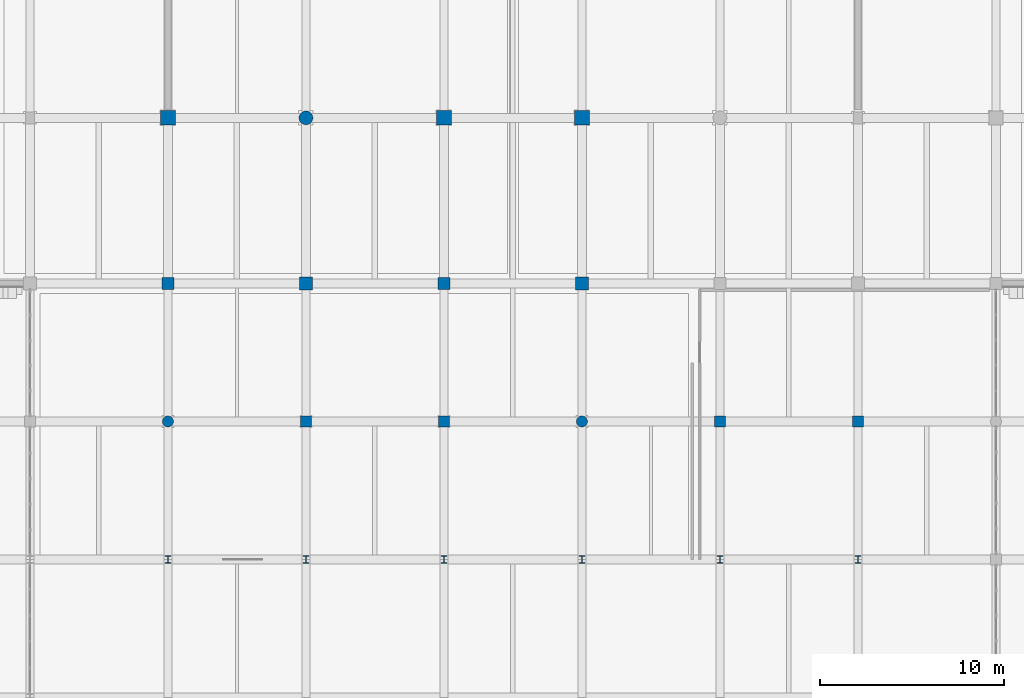
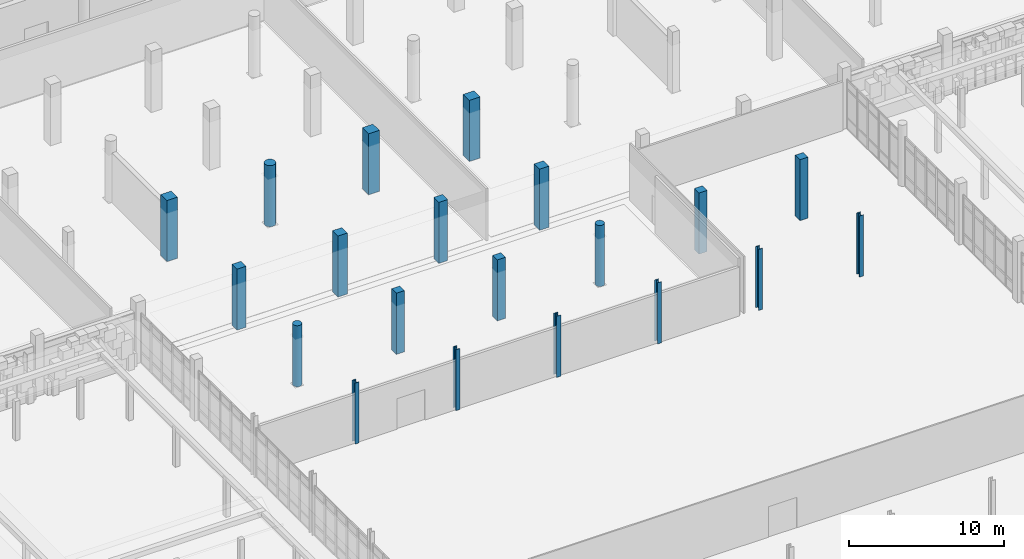
# One storey, part 10 of 125: 20 columns.
"""IFC4 building model written with IfcOpenShell, lengths in metres."""

from ifc_helpers import new_model, si_unit, direction, frame, origin, origin_2d, place, context, subcontext, project, spatial, rectangle, circle, i_section, extrude, material, material_profile, profile_set, type_object, element, save


model = new_model("IFC4")

# Units and contexts
model_context = context("Model", 3, precision=1e-05, world=origin(), true_north=direction((0.0, 1.0)))
body_context = subcontext(model_context, "Body", "Model", "MODEL_VIEW")
ifc_project = project(units=[si_unit("LENGTHUNIT", "METRE"), si_unit("AREAUNIT", "SQUARE_METRE"), si_unit("VOLUMEUNIT", "CUBIC_METRE"), si_unit("PLANEANGLEUNIT", "RADIAN"), si_unit("MASSUNIT", "GRAM", prefix="KILO")], contexts=[model_context])

# Site, building, storey
site_placement = place(None, origin())
site = spatial("IfcSite", under=ifc_project, at=site_placement, CompositionType="ELEMENT")
building_placement = place(site_placement, origin())
building = spatial("IfcBuilding", under=site, at=building_placement, Name="Dalvernix Boulevard General Hospital", CompositionType="ELEMENT")
storey_placement = place(building_placement, origin())
storey = spatial("IfcBuildingStorey", under=building, at=storey_placement, Name="L00", CompositionType="ELEMENT", Elevation=0.0)

# Columns
ifc_material_1 = material(Name="Concrete C40/50", Category="concrete")
ifc_material_profile_1 = material_profile(ifc_material_1, rectangle(XDim=0.800048828125, YDim=0.800048828125, at=origin_2d()), Name="RC 800x800")
ifc_profile_set_1 = profile_set([ifc_material_profile_1], Name="Concrete C40/50")
column_type_1 = type_object("IfcColumnType", Name="COL-C-03-I", PredefinedType="COLUMN", material=ifc_profile_set_1)
for number, where, z_axis, x_axis, name in (
    (1, (67.5, 85.5, 0.0), (0.0, 0.0, 1.0), (1.0, 0.0, 0.0), "L00 column 10M"),
    (2, (82.5, 85.5, 0.0), (0.0, 0.0, 1.0), (1.0, 0.0, 0.0), "L00 column 12M"),
    (3, (90.0, 85.5, 0.0), (0.0, 0.0, 1.0), (1.0, 0.0, 0.0), "L00 column 13M"),
):
    element("IfcColumn", number, at=place(storey_placement, frame(where, z_axis=z_axis, x_axis=x_axis)), inside=storey, type_object=column_type_1, Name=name, PredefinedType="COLUMN", context=body_context, shape_type="SweptSolid", body=[
        extrude(rectangle(XDim=0.800048828125, YDim=0.800048828125, at=origin_2d()), origin(), (0.0, 0.0, 1.0), 4.800048828125),
    ])
ifc_material_profile_2 = material_profile(ifc_material_1, rectangle(XDim=0.699951171875, YDim=0.699951171875, at=origin_2d()), Name="RC 700x700")
ifc_profile_set_2 = profile_set([ifc_material_profile_2], Name="Concrete C40/50")
column_type_2 = type_object("IfcColumnType", Name="COL-C-05-I", PredefinedType="COLUMN", material=ifc_profile_set_2)
for number, where, z_axis, x_axis, name in (
    (4, (75.0, 76.5, 0.0), (0.0, 0.0, 1.0), (1.0, 0.0, 0.0), "L00 column 11L"),
    (5, (90.0, 76.5, 0.0), (0.0, 0.0, 1.0), (1.0, 0.0, 0.0), "L00 column 13L"),
):
    element("IfcColumn", number, at=place(storey_placement, frame(where, z_axis=z_axis, x_axis=x_axis)), inside=storey, type_object=column_type_2, Name=name, PredefinedType="COLUMN", context=body_context, shape_type="SweptSolid", body=[
        extrude(rectangle(XDim=0.699951171875, YDim=0.699951171875, at=origin_2d()), origin(), (0.0, 0.0, 1.0), 4.800048828125),
    ])
ifc_material_profile_3 = material_profile(ifc_material_1, rectangle(XDim=0.64990234375, YDim=0.64990234375, at=origin_2d()), Name="RC 650x650")
ifc_profile_set_3 = profile_set([ifc_material_profile_3], Name="Concrete C40/50")
column_type_3 = type_object("IfcColumnType", Name="COL-C-06-I", PredefinedType="COLUMN", material=ifc_profile_set_3)
for number, where, z_axis, x_axis, name in (
    (6, (67.5, 76.5, 0.0), (0.0, 0.0, 1.0), (1.0, 0.0, 0.0), "L00 column 10L"),
    (7, (82.5, 76.5, 0.0), (0.0, 0.0, 1.0), (1.0, 0.0, 0.0), "L00 column 12L"),
):
    element("IfcColumn", number, at=place(storey_placement, frame(where, z_axis=z_axis, x_axis=x_axis)), inside=storey, type_object=column_type_3, Name=name, PredefinedType="COLUMN", context=body_context, shape_type="SweptSolid", body=[
        extrude(rectangle(XDim=0.64990234375, YDim=0.64990234375, at=origin_2d()), origin(), (0.0, 0.0, 1.0), 4.800048828125),
    ])
ifc_material_profile_4 = material_profile(ifc_material_1, rectangle(XDim=0.60009765625, YDim=0.60009765625, at=origin_2d()), Name="RC 600x600")
ifc_profile_set_4 = profile_set([ifc_material_profile_4], Name="Concrete C40/50")
column_type_4 = type_object("IfcColumnType", Name="COL-C-07-I", PredefinedType="COLUMN", material=ifc_profile_set_4)
for number, where, z_axis, x_axis, name in (
    (8, (75.0, 69.0, 0.0), (0.0, 0.0, 1.0), (1.0, 0.0, 0.0), "L00 column 11K"),
    (9, (82.5, 69.0, 0.0), (0.0, 0.0, 1.0), (1.0, 0.0, 0.0), "L00 column 12K"),
    (10, (97.5, 69.0, 0.0), (0.0, 0.0, 1.0), (1.0, 0.0, 0.0), "L00 column 14K"),
    (11, (105.0, 69.0, 0.0), (0.0, 0.0, 1.0), (1.0, 0.0, 0.0), "L00 column 15K"),
):
    element("IfcColumn", number, at=place(storey_placement, frame(where, z_axis=z_axis, x_axis=x_axis)), inside=storey, type_object=column_type_4, Name=name, PredefinedType="COLUMN", context=body_context, shape_type="SweptSolid", body=[
        extrude(rectangle(XDim=0.60009765625, YDim=0.60009765625, at=origin_2d()), origin(), (0.0, 0.0, 1.0), 4.800048828125),
    ])
ifc_material_profile_5 = material_profile(ifc_material_1, circle(Radius=0.375, at=origin_2d()), Name="RC D750")
ifc_profile_set_5 = profile_set([ifc_material_profile_5], Name="Concrete C40/50")
column_type_5 = type_object("IfcColumnType", Name="COL-C-14-I", PredefinedType="COLUMN", material=ifc_profile_set_5)
column_placement = place(storey_placement, frame((75.0, 85.5, 0.0), z_axis=(0.0, 0.0, 1.0), x_axis=(1.0, 0.0, 0.0)))
element("IfcColumn", 12, at=column_placement, inside=storey, type_object=column_type_5, Name="L00 column 11M", PredefinedType="COLUMN", context=body_context, shape_type="SweptSolid", body=[
    extrude(circle(Radius=0.375, at=origin_2d()), origin(), (0.0, 0.0, 1.0), 4.800048828125),
])
ifc_material_profile_6 = material_profile(ifc_material_1, circle(Radius=0.300048828125, at=origin_2d()), Name="RC D600")
ifc_profile_set_6 = profile_set([ifc_material_profile_6], Name="Concrete C40/50")
column_type_6 = type_object("IfcColumnType", Name="COL-C-15-I", PredefinedType="COLUMN", material=ifc_profile_set_6)
for number, where, z_axis, x_axis, name in (
    (13, (67.5, 69.0, 0.0), (0.0, 0.0, 1.0), (1.0, 0.0, 0.0), "L00 column 10K"),
    (14, (90.0, 69.0, 0.0), (0.0, 0.0, 1.0), (1.0, 0.0, 0.0), "L00 column 13K"),
):
    element("IfcColumn", number, at=place(storey_placement, frame(where, z_axis=z_axis, x_axis=x_axis)), inside=storey, type_object=column_type_6, Name=name, PredefinedType="COLUMN", context=body_context, shape_type="SweptSolid", body=[
        extrude(circle(Radius=0.300048828125, at=origin_2d()), origin(), (0.0, 0.0, 1.0), 4.800048828125),
    ])
ifc_material_2 = material(Name="Steel S355", Category="steel")
ifc_material_profile_7 = material_profile(ifc_material_2, i_section(OverallWidth=0.300048828125, OverallDepth=0.39990234375, WebThickness=0.013427734375, FlangeThickness=0.02392578125, FilletRadius=0.027099609375, at=origin_2d()), Name="HEB 400")
ifc_profile_set_7 = profile_set([ifc_material_profile_7], Name="Steel S355")
column_type_7 = type_object("IfcColumnType", Name="COL-C-16-I", PredefinedType="COLUMN", material=ifc_profile_set_7)
for number, where, z_axis, x_axis, name in (
    (15, (67.5, 61.5, 0.0), (0.0, 0.0, 1.0), (1.0, 0.0, 0.0), "L00 column 10J"),
    (16, (75.0, 61.5, 0.0), (0.0, 0.0, 1.0), (1.0, 0.0, 0.0), "L00 column 11J"),
    (17, (82.5, 61.5, 0.0), (0.0, 0.0, 1.0), (1.0, 0.0, 0.0), "L00 column 12J"),
    (18, (90.0, 61.5, 0.0), (0.0, 0.0, 1.0), (1.0, 0.0, 0.0), "L00 column 13J"),
    (19, (97.5, 61.5, 0.0), (0.0, 0.0, 1.0), (1.0, 0.0, 0.0), "L00 column 14J"),
    (20, (105.0, 61.5, 0.0), (0.0, 0.0, 1.0), (1.0, 0.0, 0.0), "L00 column 15J"),
):
    element("IfcColumn", number, at=place(storey_placement, frame(where, z_axis=z_axis, x_axis=x_axis)), inside=storey, type_object=column_type_7, Name=name, PredefinedType="COLUMN", context=body_context, shape_type="SweptSolid", body=[
        extrude(i_section(OverallWidth=0.300048828125, OverallDepth=0.39990234375, WebThickness=0.013427734375, FlangeThickness=0.02392578125, FilletRadius=0.027099609375, at=origin_2d()), origin(), (0.0, 0.0, 1.0), 4.800048828125),
    ])

save(model, "model.ifc")
